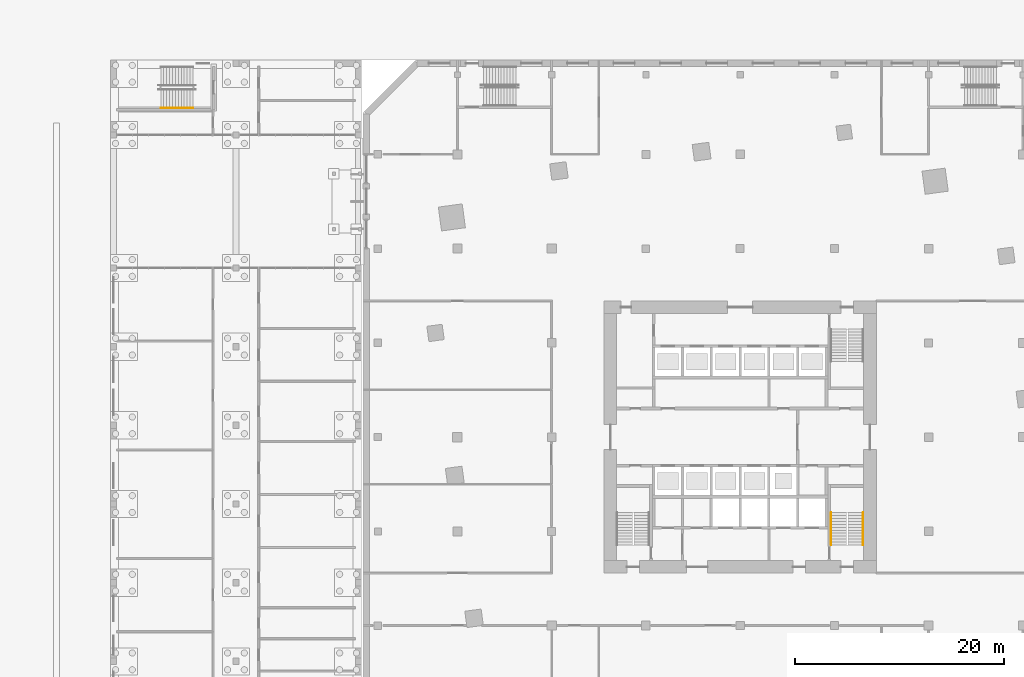
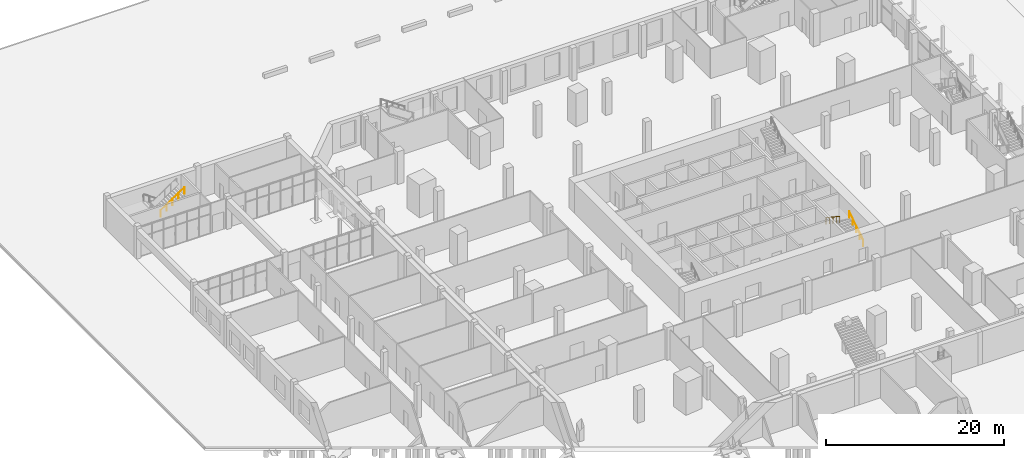
# One storey, part 38 of 42: 3 railings.
"""IFC4 building model written with IfcOpenShell, lengths in metres."""

from ifc_helpers import new_model, si_unit, direction, frame, origin, origin_2d, place, context, subcontext, project, spatial, circle, extrude, material, type_object, element, save


model = new_model("IFC4")

# Units and contexts
model_context = context("Model", 3, precision=1e-05, world=origin(), true_north=direction((0.0, 1.0)))
body_context = subcontext(model_context, "Body", "Model", "MODEL_VIEW")
ifc_project = project(units=[si_unit("LENGTHUNIT", "METRE"), si_unit("AREAUNIT", "SQUARE_METRE"), si_unit("VOLUMEUNIT", "CUBIC_METRE"), si_unit("PLANEANGLEUNIT", "RADIAN"), si_unit("MASSUNIT", "GRAM", prefix="KILO")], contexts=[model_context])

# Site, building, storey
site_placement = place(None, origin())
site = spatial("IfcSite", under=ifc_project, at=site_placement, CompositionType="ELEMENT")
building_placement = place(site_placement, origin())
building = spatial("IfcBuilding", under=site, at=building_placement, Name="Dilmun Exchange Tower", CompositionType="ELEMENT")
storey_placement = place(building_placement, origin())
storey = spatial("IfcBuildingStorey", under=building, at=storey_placement, Name="L00", CompositionType="ELEMENT", Elevation=0.0)

# Railings
ifc_material_1 = material(Name="Steel S355", Category="steel")
railing_type_1 = type_object("IfcRailingType", Name="School stair handrail 900", PredefinedType="HANDRAIL", material=ifc_material_1)
railing_1_placement = place(storey_placement, frame((-55.330078125, 31.449951171875, 2.4375)))
element("IfcRailing", 1, at=railing_1_placement, inside=storey, type_object=railing_type_1, Name="L00 SCH-S1 stair handrail 2", PredefinedType="HANDRAIL", context=body_context, shape_type="SweptSolid", body=[
    extrude(circle(Radius=0.02392578125, at=origin_2d()), frame((0.0, 0.0, 0.8759765625), z_axis=(0.830913701846, 0.0, 0.55640131208), x_axis=(0.0, 1.0, 0.0)), (0.0, 0.0, 1.0), 3.706787109375),
    extrude(circle(Radius=0.02099609375, at=origin_2d()), origin(), (0.0, 0.0, 1.0), 0.851806640625),
    extrude(circle(Radius=0.02099609375, at=origin_2d()), frame((0.77001953125, 0.0, 0.515625)), (0.0, 0.0, 1.0), 0.851806640625),
    extrude(circle(Radius=0.02099609375, at=origin_2d()), frame((1.5400390625, 0.0, 1.03125)), (0.0, 0.0, 1.0), 0.851806640625),
    extrude(circle(Radius=0.02099609375, at=origin_2d()), frame((2.31005859375, 0.0, 1.546875)), (0.0, 0.0, 1.0), 0.851806640625),
    extrude(circle(Radius=0.02099609375, at=origin_2d()), frame((3.080078125, 0.0, 2.0625)), (0.0, 0.0, 1.0), 0.851806640625),
])
ifc_material_2 = material(Name="Stainless steel", Category="steel")
railing_type_2 = type_object("IfcRailingType", Name="Stair handrail 900", PredefinedType="HANDRAIL", material=ifc_material_2)
railing_2_placement = place(storey_placement, frame((11.75, -10.300048828125, 0.1875)))
element("IfcRailing", 2, at=railing_2_placement, inside=storey, type_object=railing_type_2, Name="L00 ST3 stair handrail 1", PredefinedType="HANDRAIL", context=body_context, shape_type="SweptSolid", body=[
    extrude(circle(Radius=0.02392578125, at=origin_2d()), frame((0.0, 0.0, 0.8759765625), z_axis=(0.0, 0.830913701846, 0.55640131208), x_axis=(-1.0, 0.0, 0.0)), (0.0, 0.0, 1.0), 3.706787109375),
    extrude(circle(Radius=0.02099609375, at=origin_2d()), origin(), (0.0, 0.0, 1.0), 0.851806640625),
    extrude(circle(Radius=0.02099609375, at=origin_2d()), frame((0.0, 0.77001953125, 0.515625)), (0.0, 0.0, 1.0), 0.851806640625),
    extrude(circle(Radius=0.02099609375, at=origin_2d()), frame((0.0, 1.5400390625, 1.03125)), (0.0, 0.0, 1.0), 0.851806640625),
    extrude(circle(Radius=0.02099609375, at=origin_2d()), frame((0.0, 2.31005859375, 1.546875)), (0.0, 0.0, 1.0), 0.851806640625),
    extrude(circle(Radius=0.02099609375, at=origin_2d()), frame((0.0, 3.080078125, 2.0625)), (0.0, 0.0, 1.0), 0.851806640625),
])
railing_3_placement = place(storey_placement, frame((8.699951171875, -7.219970703125, 2.4375)))
element("IfcRailing", 3, at=railing_3_placement, inside=storey, type_object=railing_type_2, Name="L00 ST3 stair handrail 2", PredefinedType="HANDRAIL", context=body_context, shape_type="SweptSolid", body=[
    extrude(circle(Radius=0.02392578125, at=origin_2d()), frame((0.0, 0.0, 0.8759765625), z_axis=(0.0, -0.830913701846, 0.55640131208), x_axis=(1.0, 0.0, 0.0)), (0.0, 0.0, 1.0), 3.706787109375),
    extrude(circle(Radius=0.02099609375, at=origin_2d()), origin(), (0.0, 0.0, 1.0), 0.851806640625),
    extrude(circle(Radius=0.02099609375, at=origin_2d()), frame((0.0, -0.77001953125, 0.515625)), (0.0, 0.0, 1.0), 0.851806640625),
    extrude(circle(Radius=0.02099609375, at=origin_2d()), frame((0.0, -1.5400390625, 1.03125)), (0.0, 0.0, 1.0), 0.851806640625),
    extrude(circle(Radius=0.02099609375, at=origin_2d()), frame((0.0, -2.31005859375, 1.546875)), (0.0, 0.0, 1.0), 0.851806640625),
    extrude(circle(Radius=0.02099609375, at=origin_2d()), frame((0.0, -3.080078125, 2.0625)), (0.0, 0.0, 1.0), 0.851806640625),
])

save(model, "model.ifc")
